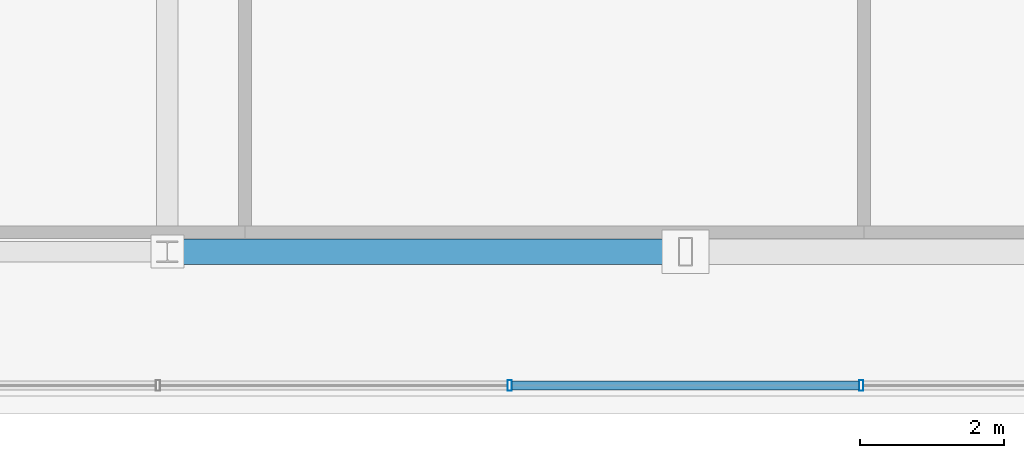
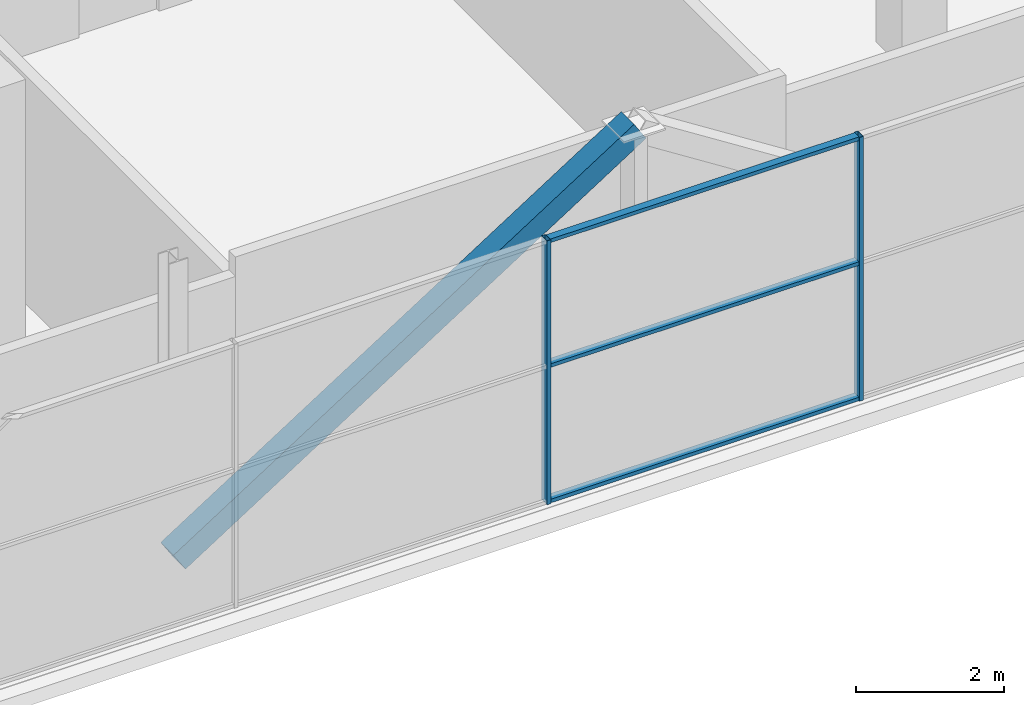
# One storey, part 7 of 28: 6 members, 1 element without a shape of its own.
"""IFC4 building model written with IfcOpenShell, lengths in metres."""

from ifc_helpers import new_model, si_unit, direction, frame, origin, origin_2d, place, context, subcontext, project, spatial, hollow_rectangle, extrude, source, transform, mapped, material, layer, layer_set, material_profile, profile_set, type_object, element, aggregate, save


model = new_model("IFC4")

# Units and contexts
model_context = context("Model", 3, precision=1e-05, world=origin(), true_north=direction((0.0, 1.0)))
body_context = subcontext(model_context, "Body", "Model", "MODEL_VIEW")
ifc_project = project(units=[si_unit("LENGTHUNIT", "METRE"), si_unit("AREAUNIT", "SQUARE_METRE"), si_unit("VOLUMEUNIT", "CUBIC_METRE"), si_unit("PLANEANGLEUNIT", "RADIAN"), si_unit("MASSUNIT", "GRAM", prefix="KILO")], contexts=[model_context])

# Site, building, storey
site_placement = place(None, origin())
site = spatial("IfcSite", under=ifc_project, at=site_placement, CompositionType="ELEMENT")
building_placement = place(site_placement, origin())
building = spatial("IfcBuilding", under=site, at=building_placement, Name="Zarnakvel Exchange Tower", CompositionType="ELEMENT")
storey_placement = place(building_placement, frame((0.0, 0.0, 276.199951171875)))
storey = spatial("IfcBuildingStorey", under=building, at=storey_placement, Name="Crown L78", CompositionType="ELEMENT", Elevation=276.199951171875)

# Member
ifc_material_1 = material(Name="Steel S355", Category="steel")
ifc_material_profile_1 = material_profile(ifc_material_1, hollow_rectangle(XDim=0.35009765625, YDim=0.35009765625, WallThickness=0.01611328125, at=origin_2d()))
ifc_profile_set_1 = profile_set([ifc_material_profile_1], Name="Steel S355")
member_type_1 = type_object("IfcMemberType", Name="CB-BR1", PredefinedType="BRACE", material=ifc_profile_set_1)
shared_shape_1 = source(origin(), body_context, "Body", "SweptSolid", [
    extrude(hollow_rectangle(XDim=0.35009765625, YDim=0.35009765625, WallThickness=0.01611328125, at=origin_2d()), origin(), (0.0, 0.0, 1.0), 8.5439453125),
])
member_1_placement = place(storey_placement, frame((-7.199951171875, -14.550048828125, -0.35986328125), z_axis=(0.842702381832, 0.0, 0.53837969469), x_axis=(0.0, 1.0, 0.0)))
element("IfcMember", 1, at=member_1_placement, inside=storey, type_object=member_type_1, Name="Crown L78 Crown Chevron Brace L (CB-BR1)", PredefinedType="BRACE", context=body_context, shape_type="MappedRepresentation", body=[
    mapped(shared_shape_1, transform((0.0, 0.0, 0.0), x_axis=(1.0, 0.0, 0.0), y_axis=(0.0, 1.0, 0.0), z_axis=(0.0, 0.0, 1.0), scale=1.0)),
])

# Curtain wall, members
ifc_material_2 = material(Name="Architectural Bronze Anodised Aluminium", Category="aluminium")
ifc_layer = layer(ifc_material_2, 0.14990234375)
ifc_layer_set = layer_set([ifc_layer], Name="Architectural Bronze Anodised Aluminium")
curtain_wall_type = type_object("IfcCurtainWallType", Name="CW-07", PredefinedType="NOTDEFINED", material=ifc_layer_set)
curtain_wall_placement = place(storey_placement, origin())
curtain_wall = element("IfcCurtainWall", 2, at=curtain_wall_placement, inside=storey, type_object=curtain_wall_type, Name="Crown L78 Curtain Wall CW-Crown L78-S (CW-07)", PredefinedType="NOTDEFINED")
ifc_material_profile_2 = material_profile(ifc_material_2, hollow_rectangle(XDim=0.14990234375, YDim=0.06005859375, WallThickness=0.00390625, at=origin_2d()))
ifc_profile_set_2 = profile_set([ifc_material_profile_2], Name="Architectural Bronze Anodised Aluminium")
member_type_2 = type_object("IfcMemberType", Name="CWM-07", PredefinedType="MULLION", material=ifc_profile_set_2)
shared_shape_2 = source(origin(), body_context, "Body", "SweptSolid", [
    extrude(hollow_rectangle(XDim=0.14990234375, YDim=0.06005859375, WallThickness=0.00390625, at=origin_2d()), origin(), (0.0, 0.0, 1.0), 4.360107421875),
])
member_2_placement = place(storey_placement, frame((-2.44287109375, -16.409912109375, 0.0), z_axis=(0.0, 0.0, 1.0), x_axis=(0.0, 1.0, 0.0)))
member_2 = element("IfcMember", 3, at=member_2_placement, type_object=member_type_2, Name="CW-07 mullion 4", PredefinedType="MULLION", context=body_context, shape_type="MappedRepresentation", body=[
    mapped(shared_shape_2, transform((0.0, 0.0, 0.0), x_axis=(1.0, 0.0, 0.0), y_axis=(0.0, 1.0, 0.0), z_axis=(0.0, 0.0, 1.0), scale=1.0)),
])
member_3_placement = place(storey_placement, frame((2.44287109375, -16.409912109375, 0.0), z_axis=(0.0, 0.0, 1.0), x_axis=(0.0, 1.0, 0.0)))
member_3 = element("IfcMember", 4, at=member_3_placement, type_object=member_type_2, Name="CW-07 mullion 5", PredefinedType="MULLION", context=body_context, shape_type="MappedRepresentation", body=[
    mapped(shared_shape_2, transform((0.0, 0.0, 0.0), x_axis=(1.0, 0.0, 0.0), y_axis=(0.0, 1.0, 0.0), z_axis=(0.0, 0.0, 1.0), scale=1.0)),
])
ifc_material_profile_3 = material_profile(ifc_material_2, hollow_rectangle(XDim=0.1201171875, YDim=0.06005859375, WallThickness=0.00390625, at=origin_2d()))
ifc_profile_set_3 = profile_set([ifc_material_profile_3], Name="Architectural Bronze Anodised Aluminium")
member_type_3 = type_object("IfcMemberType", Name="CWT-07", PredefinedType="USERDEFINED", material=ifc_profile_set_3)
shared_shape_3 = source(origin(), body_context, "Body", "SweptSolid", [
    extrude(hollow_rectangle(XDim=0.1201171875, YDim=0.06005859375, WallThickness=0.00390625, at=origin_2d()), origin(), (0.0, 0.0, 1.0), 4.82568359375),
])
member_4_placement = place(storey_placement, frame((-2.412841796875, -16.409912109375, 0.030029296875), z_axis=(1.0, 0.0, 0.0), x_axis=(0.0, 1.0, 0.0)))
member_4 = element("IfcMember", 5, at=member_4_placement, type_object=member_type_3, Name="CW-07 transom 4.1", ObjectType="TRANSOM", PredefinedType="USERDEFINED", context=body_context, shape_type="MappedRepresentation", body=[
    mapped(shared_shape_3, transform((0.0, 0.0, 0.0), x_axis=(1.0, 0.0, 0.0), y_axis=(0.0, 1.0, 0.0), z_axis=(0.0, 0.0, 1.0), scale=1.0)),
])
member_5_placement = place(storey_placement, frame((-2.412841796875, -16.409912109375, 2.267333984375), z_axis=(1.0, 0.0, 0.0), x_axis=(0.0, 1.0, 0.0)))
member_5 = element("IfcMember", 6, at=member_5_placement, type_object=member_type_3, Name="CW-07 transom 4.2", ObjectType="TRANSOM", PredefinedType="USERDEFINED", context=body_context, shape_type="MappedRepresentation", body=[
    mapped(shared_shape_3, transform((0.0, 0.0, 0.0), x_axis=(1.0, 0.0, 0.0), y_axis=(0.0, 1.0, 0.0), z_axis=(0.0, 0.0, 1.0), scale=1.0)),
])
member_6_placement = place(storey_placement, frame((-2.412841796875, -16.409912109375, 4.330078125), z_axis=(1.0, 0.0, 0.0), x_axis=(0.0, 1.0, 0.0)))
member_6 = element("IfcMember", 7, at=member_6_placement, type_object=member_type_3, Name="CW-07 transom 4.3", ObjectType="TRANSOM", PredefinedType="USERDEFINED", context=body_context, shape_type="MappedRepresentation", body=[
    mapped(shared_shape_3, transform((0.0, 0.0, 0.0), x_axis=(1.0, 0.0, 0.0), y_axis=(0.0, 1.0, 0.0), z_axis=(0.0, 0.0, 1.0), scale=1.0)),
])
aggregate(curtain_wall, [member_2, member_3, member_4, member_5, member_6])

save(model, "model.ifc")
